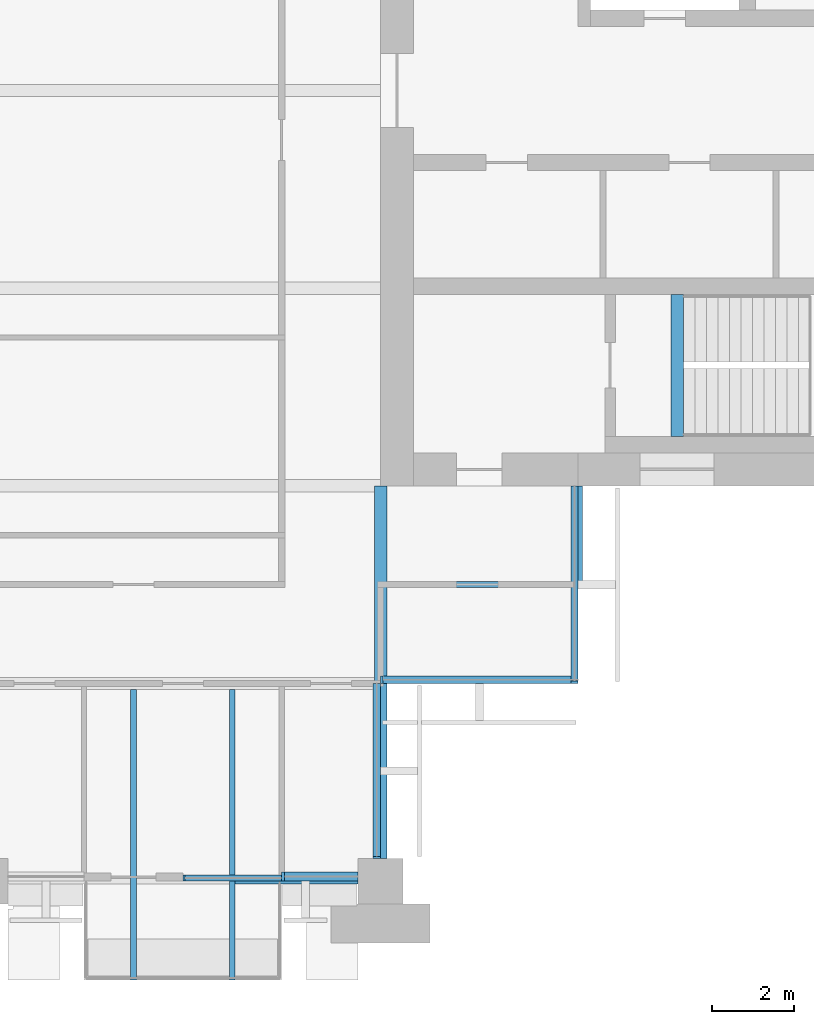
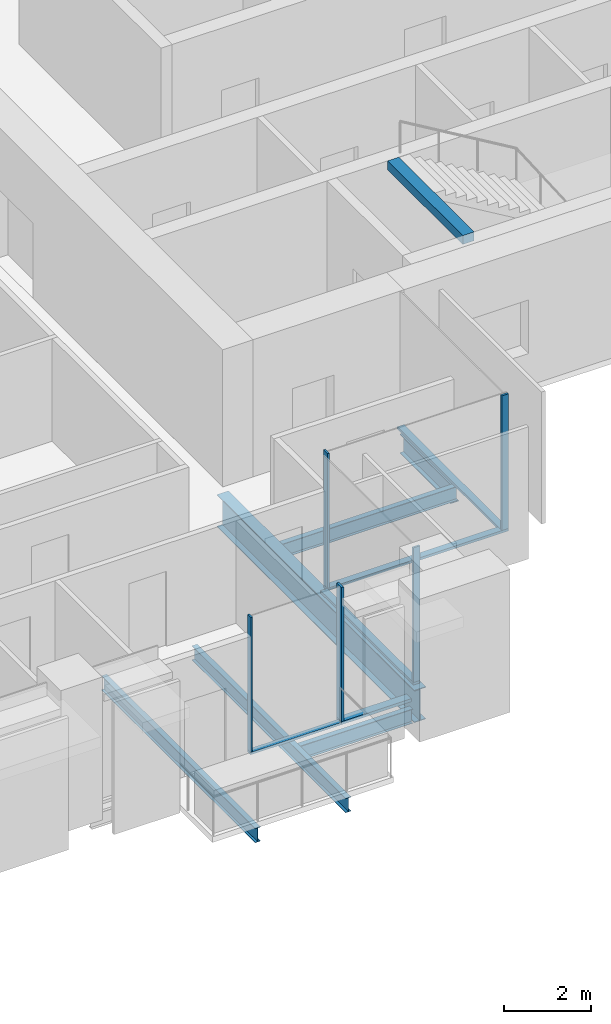
# One storey, part 4 of 14: 10 members, 7 beams, 5 elements without a shape of their own.
"""IFC4 building model written with IfcOpenShell, lengths in metres."""

from ifc_helpers import new_model, si_unit, direction, frame, origin, origin_2d, place, context, subcontext, project, spatial, rectangle, i_section, extrude, material, material_profile, profile_set, type_object, element, aggregate, save


model = new_model("IFC4")

# Units and contexts
model_context = context("Model", 3, precision=1e-05, world=origin(), true_north=direction((0.0, 1.0)))
body_context = subcontext(model_context, "Body", "Model", "MODEL_VIEW")
ifc_project = project(units=[si_unit("LENGTHUNIT", "METRE"), si_unit("AREAUNIT", "SQUARE_METRE"), si_unit("VOLUMEUNIT", "CUBIC_METRE"), si_unit("PLANEANGLEUNIT", "RADIAN"), si_unit("MASSUNIT", "GRAM", prefix="KILO")], contexts=[model_context])

# Site, building, storey
site_placement = place(None, origin())
site = spatial("IfcSite", under=ifc_project, at=site_placement, CompositionType="ELEMENT")
building_placement = place(site_placement, origin())
building = spatial("IfcBuilding", under=site, at=building_placement, Name="Baori Bourse Tower", CompositionType="ELEMENT")
storey_placement = place(building_placement, frame((0.0, 0.0, 245.199951171875)))
storey = spatial("IfcBuildingStorey", under=building, at=storey_placement, Name="L54", CompositionType="ELEMENT", Elevation=245.199951171875)

# Beams
ifc_material_1 = material(Name="Steel A992 Gr 50", Category="steel")
ifc_material_profile_1 = material_profile(ifc_material_1, i_section(OverallWidth=0.140380859375, OverallDepth=0.40380859375, WebThickness=0.007080078125, FlangeThickness=0.01123046875, at=origin_2d()), Name="W16x31")
ifc_profile_set_1 = profile_set([ifc_material_profile_1], Name="Steel A992 Gr 50")
beam_type_1 = type_object("IfcBeamType", Name="Balcony beam W16x31", PredefinedType="BEAM", material=ifc_profile_set_1)
for number, where, z_axis, x_axis, name in (
    (1, (32.39990234375, -2.39990234375, -0.36181640625), (0.0, 1.0, 0.0), (-1.0, 0.0, 0.0), "Balcony beam L54"),
    (2, (34.800048828125, -2.39990234375, -0.36181640625), (0.0, 1.0, 0.0), (-1.0, 0.0, 0.0), "Balcony beam L54"),
):
    element("IfcBeam", number, at=place(storey_placement, frame(where, z_axis=z_axis, x_axis=x_axis)), inside=storey, type_object=beam_type_1, Name=name, PredefinedType="BEAM", context=body_context, shape_type="SweptSolid", body=[
        extrude(i_section(OverallWidth=0.140380859375, OverallDepth=0.40380859375, WebThickness=0.007080078125, FlangeThickness=0.01123046875, at=origin_2d()), origin(), (0.0, 0.0, 1.0), 7.050048828125),
    ])

# Curtain wall, member
ifc_material_2 = material(Name="Pale anodised aluminium", Category="aluminium")
curtain_wall_type_1 = type_object("IfcCurtainWallType", Name="CW2 Curtain wall", PredefinedType="NOTDEFINED", material=ifc_material_2)
curtain_wall_1_placement = place(storey_placement, origin())
curtain_wall_1 = element("IfcCurtainWall", 3, at=curtain_wall_1_placement, inside=storey, type_object=curtain_wall_type_1, Name="Curtain wall CW2 L54 16", PredefinedType="NOTDEFINED")
ifc_material_3 = material(Name="Pale anodised aluminium", Category="aluminium")
ifc_material_profile_2 = material_profile(ifc_material_3, rectangle(XDim=0.179931640625, YDim=0.054931640625, at=origin_2d()), Name="Mullion 55x180")
ifc_profile_set_2 = profile_set([ifc_material_profile_2], Name="Pale anodised aluminium")
member_type_1 = type_object("IfcMemberType", Name="CW2 Curtain wall mullion", PredefinedType="MULLION", material=ifc_profile_set_2)
member_1_placement = place(storey_placement, frame((38.31005859375, 0.577392578125, 0.070068359375), z_axis=(0.0, 0.0, 1.0), x_axis=(-1.0, 0.0, 0.0)))
member_1 = element("IfcMember", 4, at=member_1_placement, type_object=member_type_1, Name="Curtain wall CW2 mullion", PredefinedType="MULLION", context=body_context, shape_type="SweptSolid", body=[
    extrude(rectangle(XDim=0.179931640625, YDim=0.054931640625, at=origin_2d()), origin(), (0.0, 0.0, 1.0), 3.77001953125),
])

curtain_wall_2_placement = place(storey_placement, origin())
curtain_wall_2 = element("IfcCurtainWall", 5, at=curtain_wall_2_placement, inside=storey, type_object=curtain_wall_type_1, Name="Curtain wall CW2 L54 17", PredefinedType="NOTDEFINED")
member_2_placement = place(storey_placement, frame((38.427490234375, 4.889892578125, 0.070068359375), z_axis=(0.0, 0.0, 1.0), x_axis=(0.0, 1.0, 0.0)))
member_2 = element("IfcMember", 6, at=member_2_placement, type_object=member_type_1, Name="Curtain wall CW2 mullion", PredefinedType="MULLION", context=body_context, shape_type="SweptSolid", body=[
    extrude(rectangle(XDim=0.179931640625, YDim=0.054931640625, at=origin_2d()), origin(), (0.0, 0.0, 1.0), 3.77001953125),
])

curtain_wall_3_placement = place(storey_placement, origin())
curtain_wall_3 = element("IfcCurtainWall", 7, at=curtain_wall_3_placement, inside=storey, type_object=curtain_wall_type_1, Name="Curtain wall CW2 L54 18", PredefinedType="NOTDEFINED")
member_3_placement = place(storey_placement, frame((43.110107421875, 4.827392578125, 0.070068359375), z_axis=(0.0, 0.0, 1.0), x_axis=(-1.0, 0.0, 0.0)))
member_3 = element("IfcMember", 8, at=member_3_placement, type_object=member_type_1, Name="Curtain wall CW2 mullion", PredefinedType="MULLION", context=body_context, shape_type="SweptSolid", body=[
    extrude(rectangle(XDim=0.179931640625, YDim=0.054931640625, at=origin_2d()), origin(), (0.0, 0.0, 1.0), 3.77001953125),
])

# Member
ifc_material_4 = material(Name="Pale anodised aluminium", Category="aluminium")
ifc_material_profile_3 = material_profile(ifc_material_4, rectangle(XDim=0.179931640625, YDim=0.070068359375, at=origin_2d()), Name="Transom 70x180")
ifc_profile_set_3 = profile_set([ifc_material_profile_3], Name="Pale anodised aluminium")
member_type_2 = type_object("IfcMemberType", Name="CW2 Curtain wall transom", PredefinedType="USERDEFINED", material=ifc_profile_set_3)
member_4_placement = place(storey_placement, frame((38.31005859375, 0.550048828125, 0.03515625), z_axis=(0.0, 1.0, 0.0), x_axis=(-1.0, 0.0, 0.0)))
member_4 = element("IfcMember", 9, at=member_4_placement, type_object=member_type_2, Name="Curtain wall CW2 sill rail", ObjectType="TRANSOM", PredefinedType="USERDEFINED", context=body_context, shape_type="SweptSolid", body=[
    extrude(rectangle(XDim=0.179931640625, YDim=0.070068359375, at=origin_2d()), origin(), (0.0, 0.0, 1.0), 4.25),
])

aggregate(curtain_wall_1, [member_4, member_1])

member_5_placement = place(storey_placement, frame((38.39990234375, 4.889892578125, 0.03515625), z_axis=(1.0, 0.0, 0.0), x_axis=(0.0, 1.0, 0.0)))
member_5 = element("IfcMember", 10, at=member_5_placement, type_object=member_type_2, Name="Curtain wall CW2 sill rail", ObjectType="TRANSOM", PredefinedType="USERDEFINED", context=body_context, shape_type="SweptSolid", body=[
    extrude(rectangle(XDim=0.179931640625, YDim=0.070068359375, at=origin_2d()), origin(), (0.0, 0.0, 1.0), 4.800048828125),
])

aggregate(curtain_wall_2, [member_5, member_2])

member_6_placement = place(storey_placement, frame((43.110107421875, 4.800048828125, 0.03515625), z_axis=(0.0, 1.0, 0.0), x_axis=(-1.0, 0.0, 0.0)))
member_6 = element("IfcMember", 11, at=member_6_placement, type_object=member_type_2, Name="Curtain wall CW2 sill rail", ObjectType="TRANSOM", PredefinedType="USERDEFINED", context=body_context, shape_type="SweptSolid", body=[
    extrude(rectangle(XDim=0.179931640625, YDim=0.070068359375, at=origin_2d()), origin(), (0.0, 0.0, 1.0), 4.800048828125),
])

aggregate(curtain_wall_3, [member_6, member_3])

# Curtain wall, members
ifc_material_5 = material(Name="Pale anodised aluminium", Category="aluminium")
curtain_wall_type_2 = type_object("IfcCurtainWallType", Name="CW5 Curtain wall", PredefinedType="NOTDEFINED", material=ifc_material_5)
curtain_wall_4_placement = place(storey_placement, origin())
curtain_wall_4 = element("IfcCurtainWall", 12, at=curtain_wall_4_placement, inside=storey, type_object=curtain_wall_type_2, Name="Curtain wall CW5 L54 15", PredefinedType="NOTDEFINED")
ifc_material_6 = material(Name="Pale anodised aluminium", Category="aluminium")
ifc_material_profile_4 = material_profile(ifc_material_6, rectangle(XDim=0.219970703125, YDim=0.06494140625, at=origin_2d()), Name="Mullion 65x220")
ifc_profile_set_4 = profile_set([ifc_material_profile_4], Name="Pale anodised aluminium")
member_type_3 = type_object("IfcMemberType", Name="CW5 Curtain wall mullion", PredefinedType="MULLION", material=ifc_profile_set_4)
member_7_placement = place(storey_placement, frame((36.032470703125, 0.110107421875, 0.0849609375), z_axis=(0.0, 0.0, 1.0), x_axis=(0.0, 1.0, 0.0)))
member_7 = element("IfcMember", 13, at=member_7_placement, type_object=member_type_3, Name="Curtain wall CW5 mullion", PredefinedType="MULLION", context=body_context, shape_type="SweptSolid", body=[
    extrude(rectangle(XDim=0.219970703125, YDim=0.06494140625, at=origin_2d()), origin(), (0.0, 0.0, 1.0), 3.755126953125),
])
ifc_material_7 = material(Name="Pale anodised aluminium", Category="aluminium")
ifc_material_profile_5 = material_profile(ifc_material_7, rectangle(XDim=0.219970703125, YDim=0.0849609375, at=origin_2d()), Name="Transom 85x220")
ifc_profile_set_5 = profile_set([ifc_material_profile_5], Name="Pale anodised aluminium")
member_type_4 = type_object("IfcMemberType", Name="CW5 Curtain wall transom", PredefinedType="USERDEFINED", material=ifc_profile_set_5)
member_8_placement = place(storey_placement, frame((36.0, 0.110107421875, 0.04248046875), z_axis=(1.0, 0.0, 0.0), x_axis=(0.0, 1.0, 0.0)))
member_8 = element("IfcMember", 14, at=member_8_placement, type_object=member_type_4, Name="Curtain wall CW5 sill rail", ObjectType="TRANSOM", PredefinedType="USERDEFINED", context=body_context, shape_type="SweptSolid", body=[
    extrude(rectangle(XDim=0.219970703125, YDim=0.0849609375, at=origin_2d()), origin(), (0.0, 0.0, 1.0), 1.85009765625),
])
aggregate(curtain_wall_4, [member_8, member_7])

ifc_material_8 = material(Name="Pale anodised aluminium", Category="aluminium")
curtain_wall_type_3 = type_object("IfcCurtainWallType", Name="CW6 Curtain wall", PredefinedType="NOTDEFINED", material=ifc_material_8)
curtain_wall_5_placement = place(storey_placement, origin())
curtain_wall_5 = element("IfcCurtainWall", 15, at=curtain_wall_5_placement, inside=storey, type_object=curtain_wall_type_3, Name="Curtain wall CW6 L54 14", PredefinedType="NOTDEFINED")
ifc_material_9 = material(Name="Pale anodised aluminium", Category="aluminium")
ifc_material_profile_6 = material_profile(ifc_material_9, rectangle(XDim=0.14990234375, YDim=0.050048828125, at=origin_2d()), Name="Mullion 50x150")
ifc_profile_set_6 = profile_set([ifc_material_profile_6], Name="Pale anodised aluminium")
member_type_5 = type_object("IfcMemberType", Name="CW6 Curtain wall mullion", PredefinedType="MULLION", material=ifc_profile_set_6)
member_9_placement = place(storey_placement, frame((33.625, 0.074951171875, 0.06494140625), z_axis=(0.0, 0.0, 1.0), x_axis=(0.0, 1.0, 0.0)))
member_9 = element("IfcMember", 16, at=member_9_placement, type_object=member_type_5, Name="Curtain wall CW6 mullion", PredefinedType="MULLION", context=body_context, shape_type="SweptSolid", body=[
    extrude(rectangle(XDim=0.14990234375, YDim=0.050048828125, at=origin_2d()), origin(), (0.0, 0.0, 1.0), 3.775146484375),
])
ifc_material_10 = material(Name="Pale anodised aluminium", Category="aluminium")
ifc_material_profile_7 = material_profile(ifc_material_10, rectangle(XDim=0.14990234375, YDim=0.06494140625, at=origin_2d()), Name="Transom 65x150")
ifc_profile_set_7 = profile_set([ifc_material_profile_7], Name="Pale anodised aluminium")
member_type_6 = type_object("IfcMemberType", Name="CW6 Curtain wall transom", PredefinedType="USERDEFINED", material=ifc_profile_set_7)
member_10_placement = place(storey_placement, frame((33.60009765625, 0.074951171875, 0.032470703125), z_axis=(1.0, 0.0, 0.0), x_axis=(0.0, 1.0, 0.0)))
member_10 = element("IfcMember", 17, at=member_10_placement, type_object=member_type_6, Name="Curtain wall CW6 sill rail", ObjectType="TRANSOM", PredefinedType="USERDEFINED", context=body_context, shape_type="SweptSolid", body=[
    extrude(rectangle(XDim=0.14990234375, YDim=0.06494140625, at=origin_2d()), origin(), (0.0, 0.0, 1.0), 2.39990234375),
])
aggregate(curtain_wall_5, [member_10, member_9])

# Beams
ifc_material_11 = material(Name="Steel A992 Gr 50", Category="steel")
ifc_material_profile_8 = material_profile(ifc_material_11, i_section(OverallWidth=0.21240234375, OverallDepth=0.54345703125, WebThickness=0.01318359375, FlangeThickness=0.021240234375, at=origin_2d()), Name="W21x83")
ifc_profile_set_8 = profile_set([ifc_material_profile_8], Name="Steel A992 Gr 50")
beam_type_2 = type_object("IfcBeamType", Name="Core bracket W21x83", PredefinedType="BEAM", material=ifc_profile_set_8)
beam_1_placement = place(storey_placement, frame((43.199951171875, 7.270263671875, -0.431640625), z_axis=(0.0, 1.0, 0.0), x_axis=(-1.0, 0.0, 0.0)))
element("IfcBeam", 18, at=beam_1_placement, inside=storey, type_object=beam_type_2, Name="Core bracket L54", PredefinedType="BEAM", context=body_context, shape_type="SweptSolid", body=[
    extrude(i_section(OverallWidth=0.21240234375, OverallDepth=0.54345703125, WebThickness=0.01318359375, FlangeThickness=0.021240234375, at=origin_2d()), origin(), (0.0, 0.0, 1.0), 2.329833984375),
])
ifc_material_12 = material(Name="Steel A992 Gr 50", Category="steel")
ifc_material_profile_9 = material_profile(ifc_material_12, i_section(OverallWidth=0.140380859375, OverallDepth=0.40380859375, WebThickness=0.007080078125, FlangeThickness=0.01123046875, at=origin_2d()), Name="W16x31")
ifc_profile_set_9 = profile_set([ifc_material_profile_9], Name="Steel A992 Gr 50")
beam_type_3 = type_object("IfcBeamType", Name="Edge beam W16x31", PredefinedType="BEAM", material=ifc_profile_set_9)
beam_2_placement = place(storey_placement, frame((34.8701171875, 0.0, -0.36181640625), z_axis=(1.0, 0.0, 0.0), x_axis=(0.0, 1.0, 0.0)))
element("IfcBeam", 19, at=beam_2_placement, inside=storey, type_object=beam_type_3, Name="Edge beam L54", PredefinedType="BEAM", context=body_context, shape_type="SweptSolid", body=[
    extrude(i_section(OverallWidth=0.140380859375, OverallDepth=0.40380859375, WebThickness=0.007080078125, FlangeThickness=0.01123046875, at=origin_2d()), origin(), (0.0, 0.0, 1.0), 2.97998046875),
])
ifc_material_13 = material(Name="Steel A992 Gr 50", Category="steel")
ifc_material_profile_10 = material_profile(ifc_material_13, i_section(OverallWidth=0.3046875, OverallDepth=0.904296875, WebThickness=0.01513671875, FlangeThickness=0.02001953125, at=origin_2d()), Name="W36x135")
ifc_profile_set_10 = profile_set([ifc_material_profile_10], Name="Steel A992 Gr 50")
beam_type_4 = type_object("IfcBeamType", Name="Girder W36x135", PredefinedType="BEAM", material=ifc_profile_set_10)
beam_3_placement = place(storey_placement, frame((38.39990234375, 0.550048828125, -0.612060546875), z_axis=(0.0, 1.0, 0.0), x_axis=(-1.0, 0.0, 0.0)))
element("IfcBeam", 20, at=beam_3_placement, inside=storey, type_object=beam_type_4, Name="Girder L54", PredefinedType="BEAM", context=body_context, shape_type="SweptSolid", body=[
    extrude(i_section(OverallWidth=0.3046875, OverallDepth=0.904296875, WebThickness=0.01513671875, FlangeThickness=0.02001953125, at=origin_2d()), origin(), (0.0, 0.0, 1.0), 9.050048828125),
])
ifc_material_14 = material(Name="Concrete f'c 50 MPa", Category="concrete")
ifc_material_profile_11 = material_profile(ifc_material_14, rectangle(XDim=0.300048828125, YDim=0.25, at=origin_2d()), Name="RC 300x250")
ifc_profile_set_11 = profile_set([ifc_material_profile_11], Name="Concrete f'c 50 MPa")
beam_type_5 = type_object("IfcBeamType", Name="Stair nib beam RC 300x250", PredefinedType="BEAM", material=ifc_profile_set_11)
beam_4_placement = place(storey_placement, frame((45.60009765625, 10.800048828125, 3.715087890625), z_axis=(0.0, 1.0, 0.0), x_axis=(-1.0, 0.0, 0.0)))
element("IfcBeam", 21, at=beam_4_placement, inside=storey, type_object=beam_type_5, Name="Stair EA nib beam L55", PredefinedType="BEAM", context=body_context, shape_type="SweptSolid", body=[
    extrude(rectangle(XDim=0.300048828125, YDim=0.25, at=origin_2d()), origin(), (0.0, 0.0, 1.0), 3.449951171875),
])
ifc_material_15 = material(Name="Steel A992 Gr 50", Category="steel")
ifc_material_profile_12 = material_profile(ifc_material_15, i_section(OverallWidth=0.140380859375, OverallDepth=0.40380859375, WebThickness=0.007080078125, FlangeThickness=0.01123046875, at=origin_2d()), Name="W16x31")
ifc_profile_set_12 = profile_set([ifc_material_profile_12], Name="Steel A992 Gr 50")
beam_type_6 = type_object("IfcBeamType", Name="Trimmer beam W16x31", PredefinedType="BEAM", material=ifc_profile_set_12)
beam_5_placement = place(storey_placement, frame((38.552490234375, 7.199951171875, -0.36181640625), z_axis=(1.0, 0.0, 0.0), x_axis=(0.0, 1.0, 0.0)))
element("IfcBeam", 22, at=beam_5_placement, inside=storey, type_object=beam_type_6, Name="Trimmer beam L54", PredefinedType="BEAM", context=body_context, shape_type="SweptSolid", body=[
    extrude(i_section(OverallWidth=0.140380859375, OverallDepth=0.40380859375, WebThickness=0.007080078125, FlangeThickness=0.01123046875, at=origin_2d()), origin(), (0.0, 0.0, 1.0), 4.6474609375),
])

save(model, "model.ifc")
